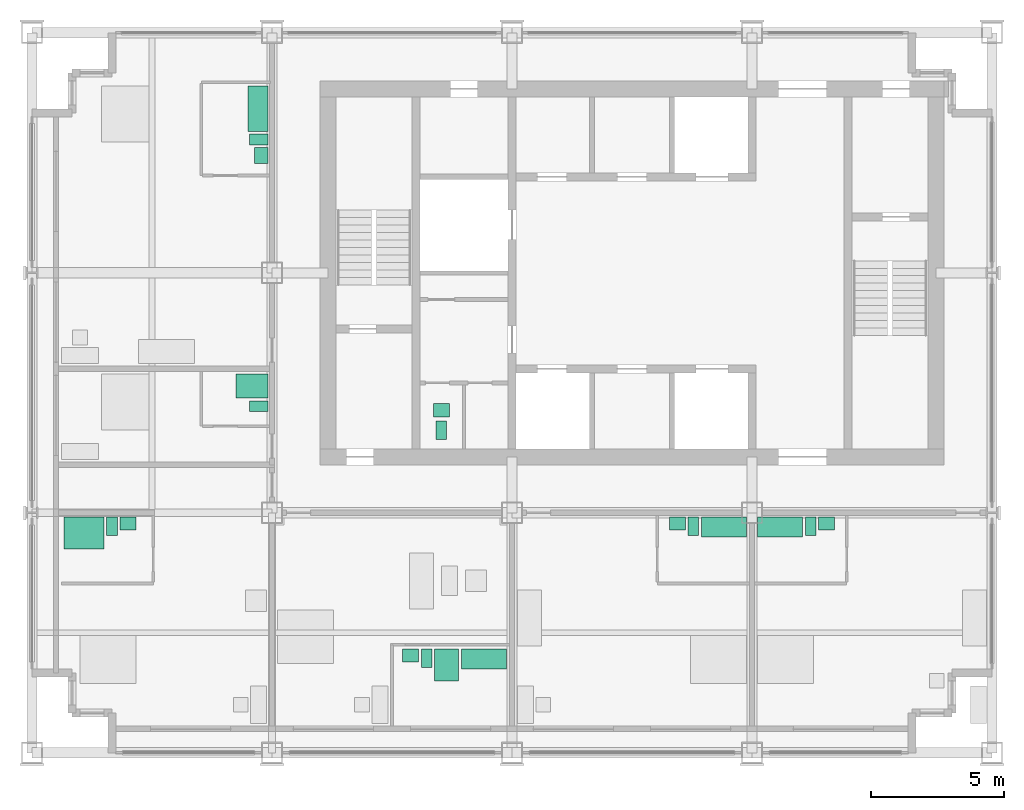
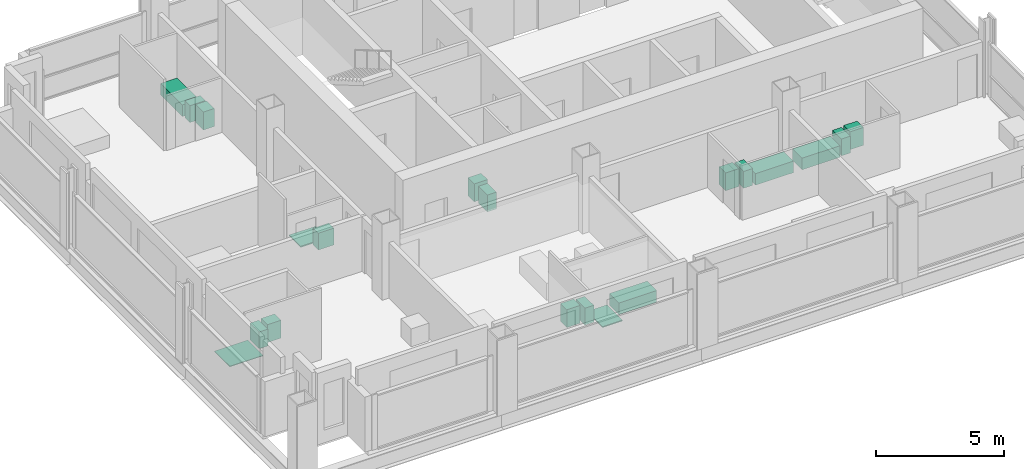
# One storey, part 10 of 11: 20 sanitary terminals.
"""IFC4 building model written with IfcOpenShell, lengths in metres."""

from ifc_helpers import new_model, si_unit, direction, frame, origin, origin_2d, place, context, subcontext, project, spatial, rectangle, extrude, element, save


model = new_model("IFC4")

# Units and contexts
model_context = context("Model", 3, precision=1e-05, world=origin(), true_north=direction((0.0, 1.0)))
body_context = subcontext(model_context, "Body", "Model", "MODEL_VIEW")
ifc_project = project(units=[si_unit("LENGTHUNIT", "METRE"), si_unit("AREAUNIT", "SQUARE_METRE"), si_unit("VOLUMEUNIT", "CUBIC_METRE"), si_unit("PLANEANGLEUNIT", "RADIAN"), si_unit("MASSUNIT", "GRAM", prefix="KILO")], contexts=[model_context])

# Site, building, storey
site_placement = place(None, origin())
site = spatial("IfcSite", under=ifc_project, at=site_placement, CompositionType="ELEMENT")
building_placement = place(site_placement, origin())
building = spatial("IfcBuilding", under=site, at=building_placement, Name="Loomwork Tower", CompositionType="ELEMENT")
storey_placement = place(building_placement, frame((0.0, 0.0, 241.0)))
storey = spatial("IfcBuildingStorey", under=building, at=storey_placement, Name="L66", CompositionType="ELEMENT", Elevation=241.0)

# Sanitary terminals
sanitary_terminal_1_placement = place(storey_placement, frame((1.949951171875, 8.25, 0.0), z_axis=(0.0, 0.0, 1.0), x_axis=(1.0, 0.0, 0.0)))
element("IfcSanitaryTerminal", 1, at=sanitary_terminal_1_placement, inside=storey, Name="Roll-in shower floor L66", PredefinedType="SHOWER", context=body_context, shape_type="SweptSolid", body=[
    extrude(rectangle(XDim=1.5, YDim=1.199951171875, at=origin_2d()), origin(), (0.0, 0.0, 1.0), 0.030029296875),
])
sanitary_terminal_2_placement = place(storey_placement, frame((3.0, 8.5, 0.0), z_axis=(0.0, 0.0, 1.0), x_axis=(1.0, 0.0, 0.0)))
element("IfcSanitaryTerminal", 2, at=sanitary_terminal_2_placement, inside=storey, Name="WC L66", PredefinedType="TOILETPAN", context=body_context, shape_type="SweptSolid", body=[
    extrude(rectangle(XDim=0.39990234375, YDim=0.699951171875, at=origin_2d()), origin(), (0.0, 0.0, 1.0), 0.800048828125),
])
sanitary_terminal_3_placement = place(storey_placement, frame((3.60009765625, 8.60009765625, 0.0), z_axis=(0.0, 0.0, 1.0), x_axis=(1.0, 0.0, 0.0)))
element("IfcSanitaryTerminal", 3, at=sanitary_terminal_3_placement, inside=storey, Name="Basin vanity L66", PredefinedType="WASHHANDBASIN", context=body_context, shape_type="SweptSolid", body=[
    extrude(rectangle(XDim=0.60009765625, YDim=0.5, at=origin_2d()), origin(), (0.0, 0.0, 1.0), 0.85009765625),
])
sanitary_terminal_4_placement = place(storey_placement, frame((16.949951171875, 3.52490234375, 0.0), z_axis=(0.0, 0.0, 1.0), x_axis=(1.0, 0.0, 0.0)))
element("IfcSanitaryTerminal", 4, at=sanitary_terminal_4_placement, inside=storey, Name="Bath L66", PredefinedType="BATH", context=body_context, shape_type="SweptSolid", body=[
    extrude(rectangle(XDim=1.699951171875, YDim=0.75, at=origin_2d()), origin(), (0.0, 0.0, 1.0), 0.550048828125),
])
sanitary_terminal_5_placement = place(storey_placement, frame((15.550048828125, 3.300048828125, 0.0), z_axis=(0.0, 0.0, 1.0), x_axis=(1.0, 0.0, 0.0)))
element("IfcSanitaryTerminal", 5, at=sanitary_terminal_5_placement, inside=storey, Name="Shower tray L66", PredefinedType="SHOWER", context=body_context, shape_type="SweptSolid", body=[
    extrude(rectangle(XDim=0.89990234375, YDim=1.199951171875, at=origin_2d()), origin(), (0.0, 0.0, 1.0), 0.050048828125),
])
sanitary_terminal_6_placement = place(storey_placement, frame((14.800048828125, 3.550048828125, 0.0), z_axis=(0.0, 0.0, 1.0), x_axis=(1.0, 0.0, 0.0)))
element("IfcSanitaryTerminal", 6, at=sanitary_terminal_6_placement, inside=storey, Name="WC L66", PredefinedType="TOILETPAN", context=body_context, shape_type="SweptSolid", body=[
    extrude(rectangle(XDim=0.39990234375, YDim=0.699951171875, at=origin_2d()), origin(), (0.0, 0.0, 1.0), 0.800048828125),
])
sanitary_terminal_7_placement = place(storey_placement, frame((14.199951171875, 3.64990234375, 0.0), z_axis=(0.0, 0.0, 1.0), x_axis=(1.0, 0.0, 0.0)))
element("IfcSanitaryTerminal", 7, at=sanitary_terminal_7_placement, inside=storey, Name="Basin vanity L66", PredefinedType="WASHHANDBASIN", context=body_context, shape_type="SweptSolid", body=[
    extrude(rectangle(XDim=0.60009765625, YDim=0.5, at=origin_2d()), origin(), (0.0, 0.0, 1.0), 0.85009765625),
])
sanitary_terminal_8_placement = place(storey_placement, frame((25.949951171875, 8.47509765625, 0.0), z_axis=(0.0, 0.0, 1.0), x_axis=(1.0, 0.0, 0.0)))
element("IfcSanitaryTerminal", 8, at=sanitary_terminal_8_placement, inside=storey, Name="Bath L66", PredefinedType="BATH", context=body_context, shape_type="SweptSolid", body=[
    extrude(rectangle(XDim=1.699951171875, YDim=0.75, at=origin_2d()), origin(), (0.0, 0.0, 1.0), 0.550048828125),
])
sanitary_terminal_9_placement = place(storey_placement, frame((24.800048828125, 8.5, 0.0), z_axis=(0.0, 0.0, 1.0), x_axis=(1.0, 0.0, 0.0)))
element("IfcSanitaryTerminal", 9, at=sanitary_terminal_9_placement, inside=storey, Name="WC L66", PredefinedType="TOILETPAN", context=body_context, shape_type="SweptSolid", body=[
    extrude(rectangle(XDim=0.39990234375, YDim=0.699951171875, at=origin_2d()), origin(), (0.0, 0.0, 1.0), 0.800048828125),
])
sanitary_terminal_10_placement = place(storey_placement, frame((24.199951171875, 8.60009765625, 0.0), z_axis=(0.0, 0.0, 1.0), x_axis=(1.0, 0.0, 0.0)))
element("IfcSanitaryTerminal", 10, at=sanitary_terminal_10_placement, inside=storey, Name="Basin vanity L66", PredefinedType="WASHHANDBASIN", context=body_context, shape_type="SweptSolid", body=[
    extrude(rectangle(XDim=0.60009765625, YDim=0.5, at=origin_2d()), origin(), (0.0, 0.0, 1.0), 0.85009765625),
])
sanitary_terminal_11_placement = place(storey_placement, frame((28.050048828125, 8.47509765625, 0.0), z_axis=(0.0, 0.0, 1.0), x_axis=(1.0, 0.0, 0.0)))
element("IfcSanitaryTerminal", 11, at=sanitary_terminal_11_placement, inside=storey, Name="Bath L66", PredefinedType="BATH", context=body_context, shape_type="SweptSolid", body=[
    extrude(rectangle(XDim=1.699951171875, YDim=0.75, at=origin_2d()), origin(), (0.0, 0.0, 1.0), 0.550048828125),
])
sanitary_terminal_12_placement = place(storey_placement, frame((29.199951171875, 8.5, 0.0), z_axis=(0.0, 0.0, 1.0), x_axis=(1.0, 0.0, 0.0)))
element("IfcSanitaryTerminal", 12, at=sanitary_terminal_12_placement, inside=storey, Name="WC L66", PredefinedType="TOILETPAN", context=body_context, shape_type="SweptSolid", body=[
    extrude(rectangle(XDim=0.39990234375, YDim=0.699951171875, at=origin_2d()), origin(), (0.0, 0.0, 1.0), 0.800048828125),
])
sanitary_terminal_13_placement = place(storey_placement, frame((29.800048828125, 8.60009765625, 0.0), z_axis=(0.0, 0.0, 1.0), x_axis=(1.0, 0.0, 0.0)))
element("IfcSanitaryTerminal", 13, at=sanitary_terminal_13_placement, inside=storey, Name="Basin vanity L66", PredefinedType="WASHHANDBASIN", context=body_context, shape_type="SweptSolid", body=[
    extrude(rectangle(XDim=0.60009765625, YDim=0.5, at=origin_2d()), origin(), (0.0, 0.0, 1.0), 0.85009765625),
])
sanitary_terminal_14_placement = place(storey_placement, frame((8.25, 13.75, 0.0), z_axis=(0.0, 0.0, 1.0), x_axis=(1.0, 0.0, 0.0)))
element("IfcSanitaryTerminal", 14, at=sanitary_terminal_14_placement, inside=storey, Name="Shower tray L66", PredefinedType="SHOWER", context=body_context, shape_type="SweptSolid", body=[
    extrude(rectangle(XDim=1.199951171875, YDim=0.89990234375, at=origin_2d()), origin(), (0.0, 0.0, 1.0), 0.050048828125),
])
sanitary_terminal_15_placement = place(storey_placement, frame((8.5, 13.0, 0.0), z_axis=(0.0, 0.0, 1.0), x_axis=(1.0, 0.0, 0.0)))
element("IfcSanitaryTerminal", 15, at=sanitary_terminal_15_placement, inside=storey, Name="WC L66", PredefinedType="TOILETPAN", context=body_context, shape_type="SweptSolid", body=[
    extrude(rectangle(XDim=0.699951171875, YDim=0.39990234375, at=origin_2d()), origin(), (0.0, 0.0, 1.0), 0.800048828125),
])
sanitary_terminal_16_placement = place(storey_placement, frame((8.47509765625, 24.14990234375, 0.0), z_axis=(0.0, 0.0, 1.0), x_axis=(1.0, 0.0, 0.0)))
element("IfcSanitaryTerminal", 16, at=sanitary_terminal_16_placement, inside=storey, Name="Bath L66", PredefinedType="BATH", context=body_context, shape_type="SweptSolid", body=[
    extrude(rectangle(XDim=0.75, YDim=1.699951171875, at=origin_2d()), origin(), (0.0, 0.0, 1.0), 0.550048828125),
])
sanitary_terminal_17_placement = place(storey_placement, frame((8.5, 23.0, 0.0), z_axis=(0.0, 0.0, 1.0), x_axis=(1.0, 0.0, 0.0)))
element("IfcSanitaryTerminal", 17, at=sanitary_terminal_17_placement, inside=storey, Name="WC L66", PredefinedType="TOILETPAN", context=body_context, shape_type="SweptSolid", body=[
    extrude(rectangle(XDim=0.699951171875, YDim=0.39990234375, at=origin_2d()), origin(), (0.0, 0.0, 1.0), 0.800048828125),
])
sanitary_terminal_18_placement = place(storey_placement, frame((8.60009765625, 22.39990234375, 0.0), z_axis=(0.0, 0.0, 1.0), x_axis=(1.0, 0.0, 0.0)))
element("IfcSanitaryTerminal", 18, at=sanitary_terminal_18_placement, inside=storey, Name="Basin vanity L66", PredefinedType="WASHHANDBASIN", context=body_context, shape_type="SweptSolid", body=[
    extrude(rectangle(XDim=0.5, YDim=0.60009765625, at=origin_2d()), origin(), (0.0, 0.0, 1.0), 0.85009765625),
])
sanitary_terminal_19_placement = place(storey_placement, frame((15.35009765625, 12.10009765625, 0.0), z_axis=(0.0, 0.0, 1.0), x_axis=(1.0, 0.0, 0.0)))
element("IfcSanitaryTerminal", 19, at=sanitary_terminal_19_placement, inside=storey, Name="WC L66", PredefinedType="TOILETPAN", context=body_context, shape_type="SweptSolid", body=[
    extrude(rectangle(XDim=0.39990234375, YDim=0.699951171875, at=origin_2d()), origin(), (0.0, 0.0, 1.0), 0.800048828125),
])
sanitary_terminal_20_placement = place(storey_placement, frame((15.35009765625, 12.85009765625, 0.0), z_axis=(0.0, 0.0, 1.0), x_axis=(1.0, 0.0, 0.0)))
element("IfcSanitaryTerminal", 20, at=sanitary_terminal_20_placement, inside=storey, Name="Basin L66", PredefinedType="WASHHANDBASIN", context=body_context, shape_type="SweptSolid", body=[
    extrude(rectangle(XDim=0.60009765625, YDim=0.5, at=origin_2d()), origin(), (0.0, 0.0, 1.0), 0.85009765625),
])

save(model, "model.ifc")
